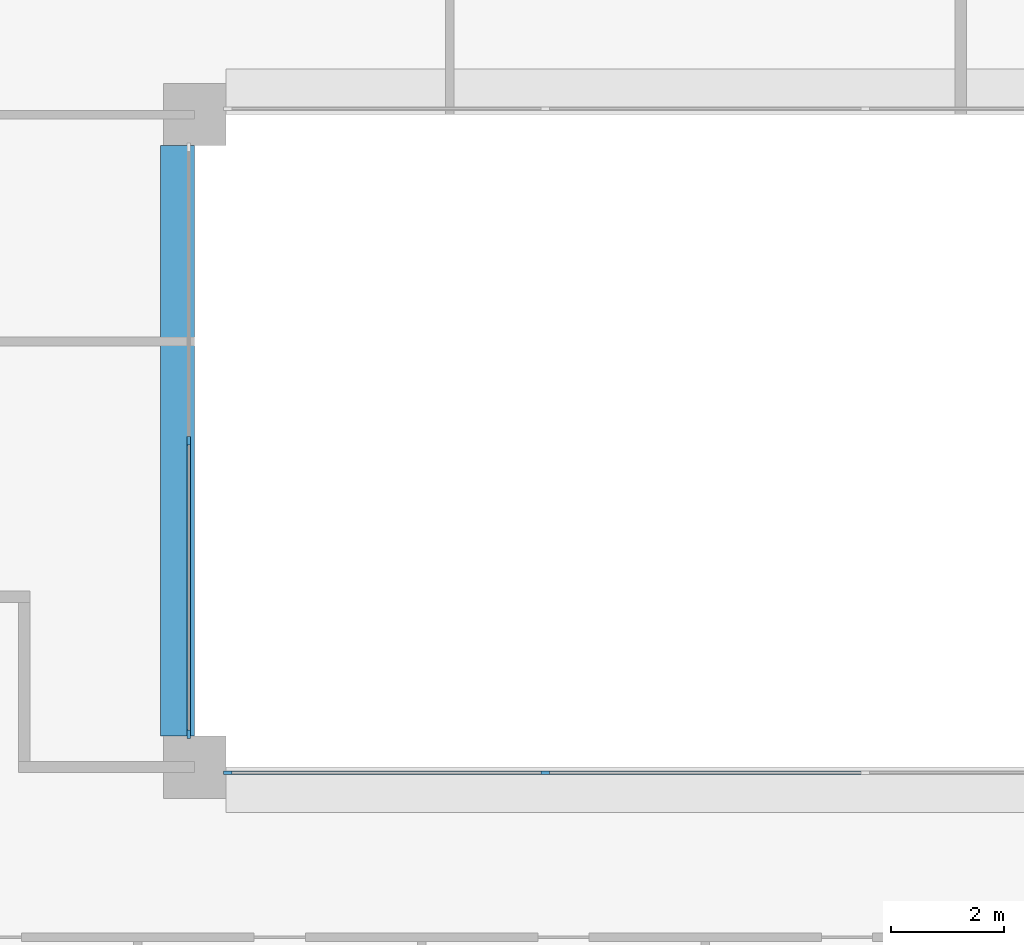
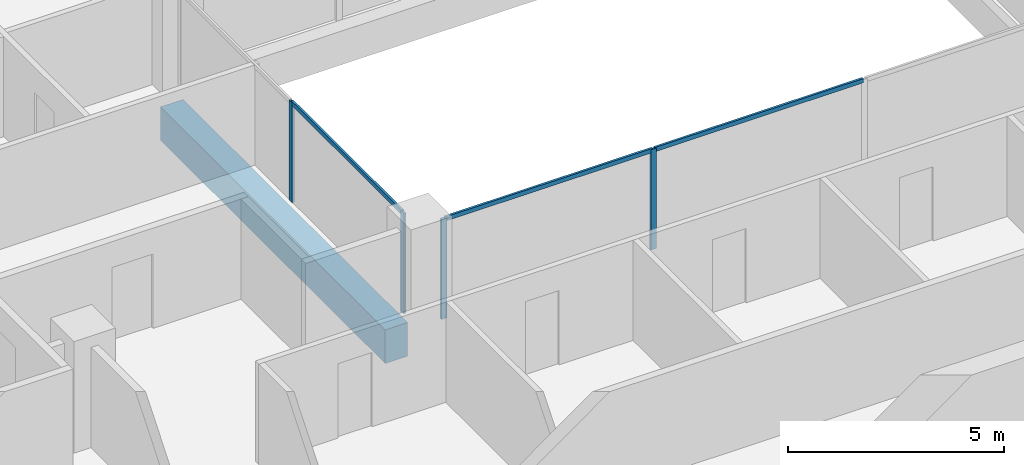
# One storey, part 2 of 15: 7 members, 1 beam, 2 elements without a shape of their own.
"""IFC4 building model written with IfcOpenShell, lengths in metres."""

from ifc_helpers import new_model, si_unit, direction, frame, origin, origin_2d, place, context, subcontext, project, spatial, rectangle, extrude, material, layer, layer_set, material_profile, profile_set, type_object, element, aggregate, save


model = new_model("IFC4")

# Units and contexts
model_context = context("Model", 3, precision=1e-05, world=origin(), true_north=direction((0.0, 1.0)))
body_context = subcontext(model_context, "Body", "Model", "MODEL_VIEW")
ifc_project = project(units=[si_unit("LENGTHUNIT", "METRE"), si_unit("AREAUNIT", "SQUARE_METRE"), si_unit("VOLUMEUNIT", "CUBIC_METRE"), si_unit("PLANEANGLEUNIT", "RADIAN"), si_unit("MASSUNIT", "GRAM", prefix="KILO")], contexts=[model_context])

# Site, building, storey
site_placement = place(None, origin())
site = spatial("IfcSite", under=ifc_project, at=site_placement, CompositionType="ELEMENT")
building_placement = place(site_placement, origin())
building = spatial("IfcBuilding", under=site, at=building_placement, Name="Brigalow Station Residences", CompositionType="ELEMENT")
storey_placement = place(building_placement, frame((0.0, 0.0, 153.89990234375)))
storey = spatial("IfcBuildingStorey", under=building, at=storey_placement, Name="L44", CompositionType="ELEMENT", Elevation=153.89990234375)

# Beam
ifc_material_1 = material(Name="Concrete C65", Category="concrete")
ifc_material_profile_1 = material_profile(ifc_material_1, rectangle(XDim=0.60009765625, YDim=0.949951171875, at=origin_2d()), Name="RC600x950")
ifc_profile_set_1 = profile_set([ifc_material_profile_1], Name="Concrete C65")
beam_type = type_object("IfcBeamType", Name="ATRIUM EDGE GIRDER 600x950 C65", PredefinedType="BEAM", material=ifc_profile_set_1)
beam_placement = place(storey_placement, frame((26.699951171875, 24.550048828125, -0.794921875), z_axis=(0.0, 1.0, 0.0), x_axis=(-1.0, 0.0, 0.0)))
element("IfcBeam", 1, at=beam_placement, inside=storey, type_object=beam_type, Name="ATRIUM EDGE GIRDER 3 L44", PredefinedType="BEAM", context=body_context, shape_type="SweptSolid", body=[
    extrude(rectangle(XDim=0.60009765625, YDim=0.949951171875, at=origin_2d()), origin(), (0.0, 0.0, 1.0), 10.39990234375),
])

# Curtain wall, members
ifc_material_2 = material(Name="Aluminium", Category="aluminium")
ifc_layer = layer(ifc_material_2, 0.14990234375)
ifc_layer_set = layer_set([ifc_layer], Name="ATRIUM FIRE-RATED GLAZING CURTAIN WALL")
curtain_wall_type = type_object("IfcCurtainWallType", Name="ATRIUM FIRE-RATED GLAZING CURTAIN WALL", PredefinedType="NOTDEFINED", material=ifc_layer_set)
curtain_wall_1_placement = place(storey_placement, origin())
curtain_wall_1 = element("IfcCurtainWall", 2, at=curtain_wall_1_placement, inside=storey, type_object=curtain_wall_type, Name="L44/cw/atrium-S", PredefinedType="NOTDEFINED")
ifc_material_3 = material(Name="Aluminium", Category="aluminium")
ifc_material_profile_2 = material_profile(ifc_material_3, rectangle(XDim=0.06005859375, YDim=0.14990234375, at=origin_2d()), Name="ATRIUM FIRE-RATED GLAZING MULLION 60x150")
ifc_profile_set_2 = profile_set([ifc_material_profile_2], Name="Aluminium")
member_type_1 = type_object("IfcMemberType", Name="ATRIUM FIRE-RATED GLAZING MULLION 60x150", PredefinedType="MULLION", material=ifc_profile_set_2)
member_1_placement = place(storey_placement, frame((27.580078125, 23.89990234375, 0.0), z_axis=(0.0, 0.0, 1.0), x_axis=(0.0, 1.0, 0.0)))
member_1 = element("IfcMember", 3, at=member_1_placement, type_object=member_type_1, Name="L44/cw/atrium-S/M00", PredefinedType="MULLION", context=body_context, shape_type="SweptSolid", body=[
    extrude(rectangle(XDim=0.06005859375, YDim=0.14990234375, at=origin_2d()), origin(), (0.0, 0.0, 1.0), 2.830078125),
])
member_2_placement = place(storey_placement, frame((33.183349609375, 23.89990234375, 0.0), z_axis=(0.0, 0.0, 1.0), x_axis=(0.0, 1.0, 0.0)))
member_2 = element("IfcMember", 4, at=member_2_placement, type_object=member_type_1, Name="L44/cw/atrium-S/M01", PredefinedType="MULLION", context=body_context, shape_type="SweptSolid", body=[
    extrude(rectangle(XDim=0.06005859375, YDim=0.14990234375, at=origin_2d()), origin(), (0.0, 0.0, 1.0), 2.830078125),
])

curtain_wall_2_placement = place(storey_placement, origin())
curtain_wall_2 = element("IfcCurtainWall", 5, at=curtain_wall_2_placement, inside=storey, type_object=curtain_wall_type, Name="L44/cw/atrium-W", PredefinedType="NOTDEFINED")
member_3_placement = place(storey_placement, frame((26.89990234375, 29.75, 0.0), z_axis=(0.0, 0.0, 1.0), x_axis=(1.0, 0.0, 0.0)))
member_3 = element("IfcMember", 6, at=member_3_placement, type_object=member_type_1, Name="L44/cw/atrium-W/M01", PredefinedType="MULLION", context=body_context, shape_type="SweptSolid", body=[
    extrude(rectangle(XDim=0.06005859375, YDim=0.14990234375, at=origin_2d()), origin(), (0.0, 0.0, 1.0), 2.830078125),
])
member_4_placement = place(storey_placement, frame((26.89990234375, 24.580078125, 0.0), z_axis=(0.0, 0.0, 1.0), x_axis=(1.0, 0.0, 0.0)))
member_4 = element("IfcMember", 7, at=member_4_placement, type_object=member_type_1, Name="L44/cw/atrium-W/M02", PredefinedType="MULLION", context=body_context, shape_type="SweptSolid", body=[
    extrude(rectangle(XDim=0.06005859375, YDim=0.14990234375, at=origin_2d()), origin(), (0.0, 0.0, 1.0), 2.830078125),
])

# Member
ifc_material_4 = material(Name="Aluminium", Category="aluminium")
ifc_material_profile_3 = material_profile(ifc_material_4, rectangle(XDim=0.06005859375, YDim=0.1201171875, at=origin_2d()), Name="ATRIUM FIRE-RATED GLAZING TRANSOM 60x120")
ifc_profile_set_3 = profile_set([ifc_material_profile_3], Name="Aluminium")
member_type_2 = type_object("IfcMemberType", Name="ATRIUM FIRE-RATED GLAZING TRANSOM 60x120", PredefinedType="USERDEFINED", material=ifc_profile_set_3)
member_5_placement = place(storey_placement, frame((27.610107421875, 23.89990234375, 2.800048828125), z_axis=(1.0, 0.0, 0.0), x_axis=(0.0, 1.0, 0.0)))
member_5 = element("IfcMember", 8, at=member_5_placement, type_object=member_type_2, Name="L44/cw/atrium-S/T00-00", ObjectType="TRANSOM", PredefinedType="USERDEFINED", context=body_context, shape_type="SweptSolid", body=[
    extrude(rectangle(XDim=0.06005859375, YDim=0.1201171875, at=origin_2d()), origin(), (0.0, 0.0, 1.0), 5.543212890625),
])

member_6_placement = place(storey_placement, frame((33.21337890625, 23.89990234375, 2.800048828125), z_axis=(1.0, 0.0, 0.0), x_axis=(0.0, 1.0, 0.0)))
member_6 = element("IfcMember", 9, at=member_6_placement, type_object=member_type_2, Name="L44/cw/atrium-S/T01-00", ObjectType="TRANSOM", PredefinedType="USERDEFINED", context=body_context, shape_type="SweptSolid", body=[
    extrude(rectangle(XDim=0.06005859375, YDim=0.1201171875, at=origin_2d()), origin(), (0.0, 0.0, 1.0), 5.5732421875),
])

aggregate(curtain_wall_1, [member_1, member_2, member_5, member_6])

member_7_placement = place(storey_placement, frame((26.89990234375, 29.719970703125, 2.800048828125), z_axis=(0.0, -1.0, 0.0), x_axis=(1.0, 0.0, 0.0)))
member_7 = element("IfcMember", 10, at=member_7_placement, type_object=member_type_2, Name="L44/cw/atrium-W/T01-00", ObjectType="TRANSOM", PredefinedType="USERDEFINED", context=body_context, shape_type="SweptSolid", body=[
    extrude(rectangle(XDim=0.06005859375, YDim=0.1201171875, at=origin_2d()), origin(), (0.0, 0.0, 1.0), 5.10986328125),
])

aggregate(curtain_wall_2, [member_3, member_4, member_7])

save(model, "model.ifc")
